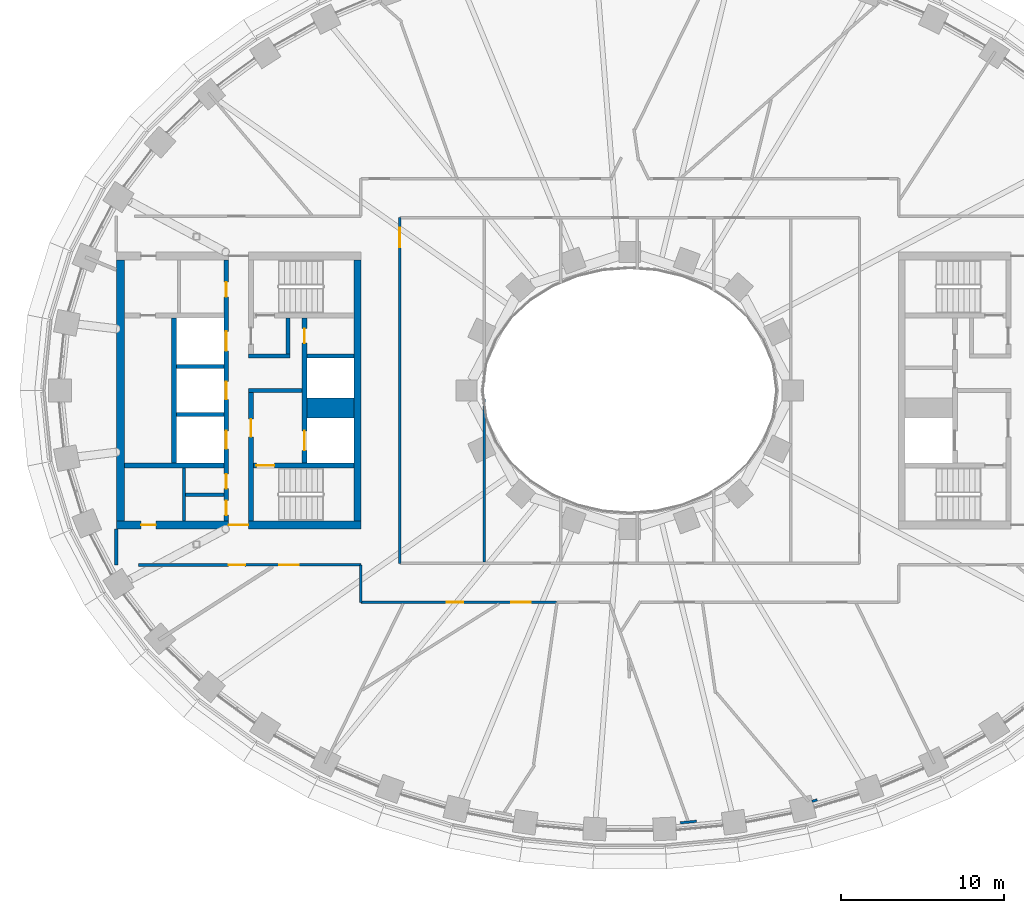
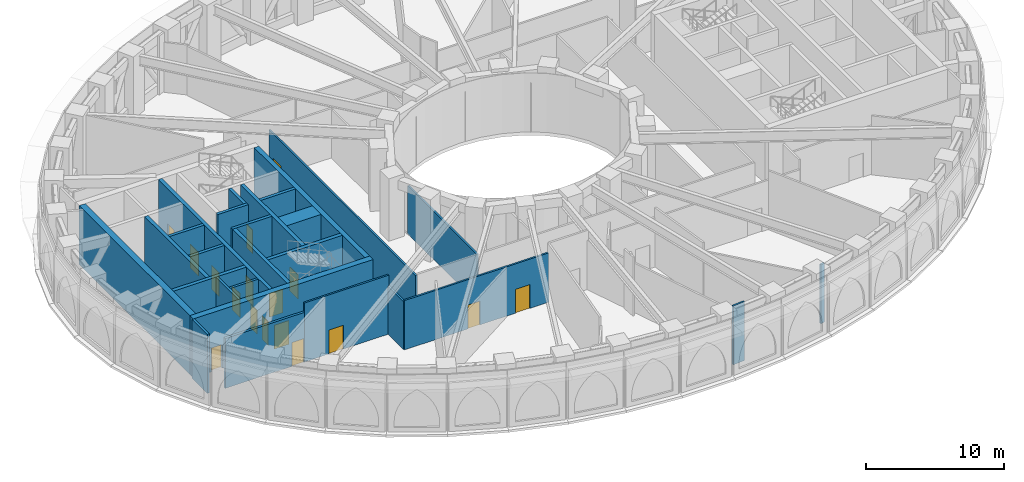
# One storey, part 6 of 25: 27 walls, 17 doors, 17 openings.
"""IFC4 building model written with IfcOpenShell, lengths in metres."""

from ifc_helpers import new_model, si_unit, direction, frame, frame_2d, origin, place, context, subcontext, project, spatial, rectangle, extrude, material, layer, layer_set, type_object, element, fill, save


model = new_model("IFC4")

# Units and contexts
model_context = context("Model", 3, precision=1e-05, world=origin(), true_north=direction((0.0, 1.0)))
body_context = subcontext(model_context, "Body", "Model", "MODEL_VIEW")
ifc_project = project(units=[si_unit("LENGTHUNIT", "METRE"), si_unit("AREAUNIT", "SQUARE_METRE"), si_unit("VOLUMEUNIT", "CUBIC_METRE"), si_unit("PLANEANGLEUNIT", "RADIAN"), si_unit("MASSUNIT", "GRAM", prefix="KILO")], contexts=[model_context])

# Site, building, storey
site_placement = place(None, origin())
site = spatial("IfcSite", under=ifc_project, at=site_placement, CompositionType="ELEMENT")
building_placement = place(site_placement, origin())
building = spatial("IfcBuilding", under=site, at=building_placement, Name="Noorbagh Ring Tower", CompositionType="ELEMENT")
storey_placement = place(building_placement, frame((0.0, 0.0, 82.5)))
storey = spatial("IfcBuildingStorey", under=building, at=storey_placement, Name="L18", CompositionType="ELEMENT", Elevation=82.5)

# Wall, opening, door
ifc_material_1 = material(Name="Gypsum board on steel studs", Category="steel")
ifc_layer_1 = layer(ifc_material_1, 0.14990234375)
ifc_layer_set_1 = layer_set([ifc_layer_1], Name="Gypsum board on steel studs")
wall_type_1 = type_object("IfcWallType", Name="COMPARTMENT PARTITION 150 EI 60", PredefinedType="PARTITIONING", material=ifc_layer_set_1)
wall_1_placement = place(storey_placement, frame((-23.550048828125, -10.699951171875, 0.0), z_axis=(0.0, 0.0, 1.0), x_axis=(1.0, 0.0, 0.0)))
wall_1 = element("IfcWall", 1, at=wall_1_placement, inside=storey, type_object=wall_type_1, Name="L18/wall/P08", PredefinedType="PARTITIONING", context=body_context, shape_type="SweptSolid", body=[
    extrude(rectangle(XDim=7.050048828125, YDim=0.14990234375, at=frame_2d((3.52490234375, 0.0))), origin(), (0.0, 0.0, 1.0), 5.199951171875),
])
opening_1_placement = place(wall_1_placement, frame((2.050048828125, 0.0, 0.0)))
opening_1 = element("IfcOpeningElement", 2, at=opening_1_placement, cuts=wall_1, Name="Opening D7", PredefinedType="OPENING", context=body_context, shape_type="SweptSolid", body=[
    extrude(rectangle(XDim=1.199951171875, YDim=2.10009765625, at=frame_2d((0.60009765625, 1.050048828125))), frame((0.0, 0.0849609375, 0.0), z_axis=(0.0, -1.0, 0.0), x_axis=(1.0, 0.0, 0.0)), (0.0, 0.0, 1.0), 0.169921875),
])
ifc_material_2 = material(Name="Timber, painted", Category="wood")
door_type_1 = type_object("IfcDoorType", Name="DOOR 1200 X 2100 FD60", OperationType="SINGLE_SWING_LEFT", PredefinedType="DOOR", material=ifc_material_2)
door_1_placement = place(opening_1_placement, origin())
door_1 = element("IfcDoor", 3, at=door_1_placement, inside=storey, type_object=door_type_1, Name="L18-D03", OperationType="SINGLE_SWING_LEFT", OverallHeight=2.10009765625, OverallWidth=1.199951171875, PredefinedType="DOOR", context=body_context, shape_type="SweptSolid", body=[
    extrude(rectangle(XDim=1.199951171875, YDim=2.10009765625, at=frame_2d((0.60009765625, 1.050048828125))), frame((0.0, 0.02490234375, 0.0), z_axis=(0.0, -1.0, 0.0), x_axis=(1.0, 0.0, 0.0)), (0.0, 0.0, 1.0), 0.050048828125),
])
fill(opening_1, door_1)

# Wall
wall_2_placement = place(storey_placement, frame((-16.5, -13.0, 0.0), z_axis=(0.0, 0.0, 1.0), x_axis=(0.0, 1.0, 0.0)))
element("IfcWall", 4, at=wall_2_placement, inside=storey, type_object=wall_type_1, Name="L18/wall/P11", PredefinedType="PARTITIONING", context=body_context, shape_type="SweptSolid", body=[
    extrude(rectangle(XDim=2.300048828125, YDim=0.14990234375, at=frame_2d((1.14990234375, 0.0))), origin(), (0.0, 0.0, 1.0), 4.25),
])

# Wall, openings, doors
wall_3_placement = place(storey_placement, frame((-16.5, -13.0, 0.0), z_axis=(0.0, 0.0, 1.0), x_axis=(1.0, 0.0, 0.0)))
wall_3 = element("IfcWall", 5, at=wall_3_placement, inside=storey, type_object=wall_type_1, Name="L18/wall/P12", PredefinedType="PARTITIONING", context=body_context, shape_type="SweptSolid", body=[
    extrude(rectangle(XDim=12.02099609375, YDim=0.14990234375, at=frame_2d((6.010498046875, 0.0))), origin(), (0.0, 0.0, 1.0), 4.35009765625),
])
opening_2_placement = place(wall_3_placement, frame((9.239013671875, 0.0, 0.0)))
opening_2 = element("IfcOpeningElement", 6, at=opening_2_placement, cuts=wall_3, Name="Opening D7", PredefinedType="OPENING", context=body_context, shape_type="SweptSolid", body=[
    extrude(rectangle(XDim=1.199951171875, YDim=2.10009765625, at=frame_2d((0.60009765625, 1.050048828125))), frame((0.0, 0.0849609375, 0.0), z_axis=(0.0, -1.0, 0.0), x_axis=(1.0, 0.0, 0.0)), (0.0, 0.0, 1.0), 0.169921875),
])
opening_3_placement = place(wall_3_placement, frame((5.279052734375, 0.0, 0.0)))
opening_3 = element("IfcOpeningElement", 7, at=opening_3_placement, cuts=wall_3, Name="Opening D6", PredefinedType="OPENING", context=body_context, shape_type="SweptSolid", body=[
    extrude(rectangle(XDim=1.0, YDim=2.10009765625, at=frame_2d((0.5, 1.050048828125))), frame((0.0, 0.0849609375, 0.0), z_axis=(0.0, -1.0, 0.0), x_axis=(1.0, 0.0, 0.0)), (0.0, 0.0, 1.0), 0.169921875),
])
ifc_material_3 = material(Name="Timber, painted", Category="wood")
door_type_2 = type_object("IfcDoorType", Name="DOOR 1000 X 2100 FD60", OperationType="SINGLE_SWING_LEFT", PredefinedType="DOOR", material=ifc_material_3)
door_2_placement = place(opening_3_placement, origin())
door_2 = element("IfcDoor", 8, at=door_2_placement, inside=storey, type_object=door_type_2, Name="L18-D06", OperationType="SINGLE_SWING_RIGHT", OverallHeight=2.10009765625, OverallWidth=1.0, PredefinedType="DOOR", context=body_context, shape_type="SweptSolid", body=[
    extrude(rectangle(XDim=1.0, YDim=2.10009765625, at=frame_2d((0.5, 1.050048828125))), frame((0.0, 0.02490234375, 0.0), z_axis=(0.0, -1.0, 0.0), x_axis=(1.0, 0.0, 0.0)), (0.0, 0.0, 1.0), 0.050048828125),
])
fill(opening_3, door_2)
door_3_placement = place(opening_2_placement, origin())
door_3 = element("IfcDoor", 9, at=door_3_placement, inside=storey, type_object=door_type_1, Name="L18-D05", OperationType="SINGLE_SWING_LEFT", OverallHeight=2.10009765625, OverallWidth=1.199951171875, PredefinedType="DOOR", context=body_context, shape_type="SweptSolid", body=[
    extrude(rectangle(XDim=1.199951171875, YDim=2.10009765625, at=frame_2d((0.60009765625, 1.050048828125))), frame((0.0, 0.02490234375, 0.0), z_axis=(0.0, -1.0, 0.0), x_axis=(1.0, 0.0, 0.0)), (0.0, 0.0, 1.0), 0.050048828125),
])
fill(opening_2, door_3)

# Wall, opening, door
wall_4_placement = place(storey_placement, frame((-14.10009765625, -10.60009765625, 0.0), z_axis=(0.0, 0.0, 1.0), x_axis=(0.0, 1.0, 0.0)))
wall_4 = element("IfcWall", 10, at=wall_4_placement, inside=storey, type_object=wall_type_1, Name="L18/wall/P16", PredefinedType="PARTITIONING", context=body_context, shape_type="SweptSolid", body=[
    extrude(rectangle(XDim=21.2001953125, YDim=0.14990234375, at=frame_2d((10.60009765625, 0.0))), origin(), (0.0, 0.0, 1.0), 4.25),
])
opening_4_placement = place(wall_4_placement, frame((19.39990234375, 0.0, 0.0)))
opening_4 = element("IfcOpeningElement", 11, at=opening_4_placement, cuts=wall_4, Name="Opening D7", PredefinedType="OPENING", context=body_context, shape_type="SweptSolid", body=[
    extrude(rectangle(XDim=1.199951171875, YDim=2.10009765625, at=frame_2d((0.60009765625, 1.050048828125))), frame((0.0, 0.0849609375, 0.0), z_axis=(0.0, -1.0, 0.0), x_axis=(1.0, 0.0, 0.0)), (0.0, 0.0, 1.0), 0.169921875),
])
door_4_placement = place(opening_4_placement, origin())
door_4 = element("IfcDoor", 12, at=door_4_placement, inside=storey, type_object=door_type_1, Name="L18-D18", OperationType="SINGLE_SWING_RIGHT", OverallHeight=2.10009765625, OverallWidth=1.199951171875, PredefinedType="DOOR", context=body_context, shape_type="SweptSolid", body=[
    extrude(rectangle(XDim=1.199951171875, YDim=2.10009765625, at=frame_2d((0.60009765625, 1.050048828125))), frame((0.0, 0.02490234375, 0.0), z_axis=(0.0, -1.0, 0.0), x_axis=(1.0, 0.0, 0.0)), (0.0, 0.0, 1.0), 0.050048828125),
])
fill(opening_4, door_4)

# Walls
wall_5_placement = place(storey_placement, frame((-8.929931640625, -10.52490234375, 0.0), z_axis=(0.0, 0.0, 1.0), x_axis=(0.0, 1.0, 0.0)))
element("IfcWall", 13, at=wall_5_placement, inside=storey, type_object=wall_type_1, Name="L18/wall/P21", PredefinedType="PARTITIONING", context=body_context, shape_type="SweptSolid", body=[
    extrude(rectangle(XDim=10.0068359375, YDim=0.14990234375, at=frame_2d((5.00341796875, 0.0))), origin(), (0.0, 0.0, 1.0), 4.25),
])
wall_6_placement = place(storey_placement, frame((3.103759765625, -26.525146484375, 0.0), z_axis=(0.0, 0.0, 1.0), x_axis=(0.995455881017, 0.095223888545, 0.0)))
element("IfcWall", 14, at=wall_6_placement, inside=storey, type_object=wall_type_1, Name="L18/wall/P63", PredefinedType="PARTITIONING", context=body_context, shape_type="SweptSolid", body=[
    extrude(rectangle(XDim=1.0, YDim=0.14990234375, at=frame_2d((0.5, 0.0))), origin(), (0.0, 0.0, 1.0), 5.199951171875),
])
wall_7_placement = place(storey_placement, frame((11.1845703125, -25.209228515625, 0.0), z_axis=(0.0, 0.0, 1.0), x_axis=(0.957581907725, 0.288161222232, 0.0)))
element("IfcWall", 15, at=wall_7_placement, inside=storey, type_object=wall_type_1, Name="L18/wall/P66", PredefinedType="PARTITIONING", context=body_context, shape_type="SweptSolid", body=[
    extrude(rectangle(XDim=0.330322265625, YDim=0.14990234375, at=frame_2d((0.1650390625, 0.0))), origin(), (0.0, 0.0, 1.0), 5.199951171875),
])
ifc_material_4 = material(Name="Gypsum board on steel studs", Category="steel")
ifc_layer_2 = layer(ifc_material_4, 0.199951171875)
ifc_layer_set_2 = layer_set([ifc_layer_2], Name="Gypsum board on steel studs")
wall_type_2 = type_object("IfcWallType", Name="CORE-PARTITION-200", PredefinedType="PARTITIONING", material=ifc_layer_set_2)
wall_8_placement = place(storey_placement, frame((-27.35009765625, -8.0, 0.0), z_axis=(0.0, 0.0, 1.0), x_axis=(0.0, 1.0, 0.0)))
element("IfcWall", 16, at=wall_8_placement, inside=storey, type_object=wall_type_2, Name="Core partition W", PredefinedType="PARTITIONING", context=body_context, shape_type="SweptSolid", body=[
    extrude(rectangle(XDim=3.25, YDim=0.199951171875, at=frame_2d((1.625, 0.0))), origin(), (0.0, 0.0, 1.0), 5.199951171875),
])
wall_9_placement = place(storey_placement, frame((-24.89990234375, -6.39990234375, 0.0), z_axis=(0.0, 0.0, 1.0), x_axis=(-1.0, 0.0, 0.0)))
element("IfcWall", 17, at=wall_9_placement, inside=storey, type_object=wall_type_2, Name="Core partition W", PredefinedType="PARTITIONING", context=body_context, shape_type="SweptSolid", body=[
    extrude(rectangle(XDim=2.35009765625, YDim=0.199951171875, at=frame_2d((1.175048828125, 0.0))), origin(), (0.0, 0.0, 1.0), 5.199951171875),
])
ifc_material_5 = material(Name="Concrete C70/85", Category="concrete")
ifc_layer_3 = layer(ifc_material_5, 1.25)
ifc_layer_set_3 = layer_set([ifc_layer_3], Name="Concrete C70/85")
wall_type_3 = type_object("IfcWallType", Name="CORE-WALL-1250-C70-85-EI120", PredefinedType="SHEAR", material=ifc_layer_set_3)
wall_10_placement = place(storey_placement, frame((-16.89990234375, -1.074951171875, 0.0), z_axis=(0.0, 0.0, 1.0), x_axis=(-1.0, 0.0, 0.0)))
element("IfcWall", 18, at=wall_10_placement, inside=storey, type_object=wall_type_3, Name="Core wall W", PredefinedType="SHEAR", context=body_context, shape_type="SweptSolid", body=[
    extrude(rectangle(XDim=2.900146484375, YDim=1.25, at=frame_2d((1.4501953125, 0.0))), origin(), (0.0, 0.0, 1.0), 5.199951171875),
])
ifc_material_6 = material(Name="Concrete C70/85", Category="concrete")
ifc_layer_4 = layer(ifc_material_6, 0.25)
ifc_layer_set_4 = layer_set([ifc_layer_4], Name="Concrete C70/85")
wall_type_4 = type_object("IfcWallType", Name="CORE-WALL-250-C70-85-EI120", PredefinedType="SHEAR", material=ifc_layer_set_4)
for number, where, z_axis, x_axis, name in (
    (19, (-16.89990234375, 2.125, 0.0), (0.0, 0.0, 1.0), (-1.0, 0.0, 0.0), "Core wall W"),
    (20, (-24.89990234375, -1.47509765625, 0.0), (0.0, 0.0, 1.0), (-1.0, 0.0, 0.0), "Core wall W"),
    (21, (-24.89990234375, 1.47509765625, 0.0), (0.0, 0.0, 1.0), (-1.0, 0.0, 0.0), "Core wall W"),
):
    element("IfcWall", number, at=place(storey_placement, frame(where, z_axis=z_axis, x_axis=x_axis)), inside=storey, type_object=wall_type_4, Name=name, PredefinedType="SHEAR", context=body_context, shape_type="SweptSolid", body=[
        extrude(rectangle(XDim=2.900146484375, YDim=0.25, at=frame_2d((1.4501953125, 0.0))), origin(), (0.0, 0.0, 1.0), 5.199951171875),
    ])
ifc_material_7 = material(Name="Concrete C70/85", Category="concrete")
ifc_layer_5 = layer(ifc_material_7, 0.25)
ifc_layer_set_5 = layer_set([ifc_layer_5], Name="Concrete C70/85")
wall_type_5 = type_object("IfcWallType", Name="CORE-WALL-250-C70-85-EI240", PredefinedType="SHEAR", material=ifc_layer_set_5)
wall_11_placement = place(storey_placement, frame((-20.10009765625, 0.0, 0.0), z_axis=(0.0, 0.0, 1.0), x_axis=(-1.0, 0.0, 0.0)))
element("IfcWall", 22, at=wall_11_placement, inside=storey, type_object=wall_type_5, Name="Core wall W", PredefinedType="SHEAR", context=body_context, shape_type="SweptSolid", body=[
    extrude(rectangle(XDim=3.27978515625, YDim=0.25, at=frame_2d((1.639892578125, 0.0))), origin(), (0.0, 0.0, 1.0), 5.199951171875),
])
wall_12_placement = place(storey_placement, frame((-20.85009765625, 2.125, 0.0), z_axis=(0.0, 0.0, 1.0), x_axis=(-1.0, 0.0, 0.0)))
element("IfcWall", 23, at=wall_12_placement, inside=storey, type_object=wall_type_5, Name="Core wall W", PredefinedType="SHEAR", context=body_context, shape_type="SweptSolid", body=[
    extrude(rectangle(XDim=2.52978515625, YDim=0.25, at=frame_2d((1.264892578125, 0.0))), origin(), (0.0, 0.0, 1.0), 5.199951171875),
])
wall_13_placement = place(storey_placement, frame((-20.97509765625, 2.25, 0.0), z_axis=(0.0, 0.0, 1.0), x_axis=(0.0, 1.0, 0.0)))
element("IfcWall", 24, at=wall_13_placement, inside=storey, type_object=wall_type_5, Name="Core wall W", PredefinedType="SHEAR", context=body_context, shape_type="SweptSolid", body=[
    extrude(rectangle(XDim=2.199951171875, YDim=0.25, at=frame_2d((1.10009765625, 0.0))), origin(), (0.0, 0.0, 1.0), 5.199951171875),
])
ifc_material_8 = material(Name="Concrete C70/85", Category="concrete")
ifc_layer_6 = layer(ifc_material_8, 0.300048828125)
ifc_layer_set_6 = layer_set([ifc_layer_6], Name="Concrete C70/85")
wall_type_6 = type_object("IfcWallType", Name="CORE-WALL-300-C70-85-EI120", PredefinedType="SHEAR", material=ifc_layer_set_6)
wall_14_placement = place(storey_placement, frame((-27.949951171875, -4.449951171875, 0.0), z_axis=(0.0, 0.0, 1.0), x_axis=(0.0, 1.0, 0.0)))
element("IfcWall", 25, at=wall_14_placement, inside=storey, type_object=wall_type_6, Name="Core wall W", PredefinedType="SHEAR", context=body_context, shape_type="SweptSolid", body=[
    extrude(rectangle(XDim=8.89990234375, YDim=0.300048828125, at=frame_2d((4.449951171875, 0.0))), origin(), (0.0, 0.0, 1.0), 5.199951171875),
])

# Wall, openings, doors
wall_15_placement = place(storey_placement, frame((-19.949951171875, -4.449951171875, 0.0), z_axis=(0.0, 0.0, 1.0), x_axis=(0.0, 1.0, 0.0)))
wall_15 = element("IfcWall", 26, at=wall_15_placement, inside=storey, type_object=wall_type_6, Name="Core wall W", PredefinedType="SHEAR", context=body_context, shape_type="SweptSolid", body=[
    extrude(rectangle(XDim=8.89990234375, YDim=0.300048828125, at=frame_2d((4.449951171875, 0.0))), origin(), (0.0, 0.0, 1.0), 5.199951171875),
])
opening_5_placement = place(wall_15_placement, frame((0.77490234375, 0.0, 0.0)))
opening_5 = element("IfcOpeningElement", 27, at=opening_5_placement, cuts=wall_15, Name="Opening L18-CW01", PredefinedType="OPENING", context=body_context, shape_type="SweptSolid", body=[
    extrude(rectangle(XDim=1.199951171875, YDim=2.10009765625, at=frame_2d((0.60009765625, 1.050048828125))), frame((0.0, 0.16015625, 0.0), z_axis=(0.0, -1.0, 0.0), x_axis=(1.0, 0.0, 0.0)), (0.0, 0.0, 1.0), 0.320068359375),
])
opening_6_placement = place(wall_15_placement, frame((7.35009765625, 0.0, 0.0)))
opening_6 = element("IfcOpeningElement", 28, at=opening_6_placement, cuts=wall_15, Name="Opening L18-CW11", PredefinedType="OPENING", context=body_context, shape_type="SweptSolid", body=[
    extrude(rectangle(XDim=0.89990234375, YDim=2.10009765625, at=frame_2d((0.449951171875, 1.050048828125))), frame((0.0, 0.16015625, 0.0), z_axis=(0.0, -1.0, 0.0), x_axis=(1.0, 0.0, 0.0)), (0.0, 0.0, 1.0), 0.320068359375),
])
ifc_material_9 = material(Name="Steel door leaf", Category="steel")
door_type_3 = type_object("IfcDoorType", Name="CORE-DOOR-DROOM", OperationType="SINGLE_SWING_LEFT", PredefinedType="DOOR", material=ifc_material_9)
door_5_placement = place(opening_6_placement, origin())
door_5 = element("IfcDoor", 29, at=door_5_placement, inside=storey, type_object=door_type_3, Name="Core room door L18-CW11", OperationType="SINGLE_SWING_LEFT", OverallHeight=2.10009765625, OverallWidth=0.89990234375, PredefinedType="DOOR", context=body_context, shape_type="SweptSolid", body=[
    extrude(rectangle(XDim=0.89990234375, YDim=2.10009765625, at=frame_2d((0.449951171875, 1.050048828125))), frame((0.0, 0.02490234375, 0.0), z_axis=(0.0, -1.0, 0.0), x_axis=(1.0, 0.0, 0.0)), (0.0, 0.0, 1.0), 0.050048828125),
])
fill(opening_6, door_5)
ifc_material_10 = material(Name="Steel door leaf", Category="steel")
door_type_4 = type_object("IfcDoorType", Name="CORE-DOOR-LDW", OperationType="DOUBLE_DOOR_SLIDING", PredefinedType="DOOR", material=ifc_material_10)
door_6_placement = place(opening_5_placement, origin())
door_6 = element("IfcDoor", 30, at=door_6_placement, inside=storey, type_object=door_type_4, Name="Landing door FF1 L18-CW01", OperationType="DOUBLE_DOOR_SLIDING", OverallHeight=2.10009765625, OverallWidth=1.199951171875, PredefinedType="DOOR", context=body_context, shape_type="SweptSolid", body=[
    extrude(rectangle(XDim=1.199951171875, YDim=2.10009765625, at=frame_2d((0.60009765625, 1.050048828125))), frame((0.0, 0.02490234375, 0.0), z_axis=(0.0, -1.0, 0.0), x_axis=(1.0, 0.0, 0.0)), (0.0, 0.0, 1.0), 0.050048828125),
])
fill(opening_5, door_6)

wall_16_placement = place(storey_placement, frame((-24.75, -8.0, 0.0), z_axis=(0.0, 0.0, 1.0), x_axis=(0.0, 1.0, 0.0)))
wall_16 = element("IfcWall", 31, at=wall_16_placement, inside=storey, type_object=wall_type_6, Name="Core wall W", PredefinedType="SHEAR", context=body_context, shape_type="SweptSolid", body=[
    extrude(rectangle(XDim=16.0, YDim=0.300048828125, at=frame_2d((8.0, 0.0))), origin(), (0.0, 0.0, 1.0), 5.199951171875),
])
opening_7_placement = place(wall_16_placement, frame((4.425048828125, 0.0, 0.0)))
opening_7 = element("IfcOpeningElement", 32, at=opening_7_placement, cuts=wall_16, Name="Opening L18-CW02", PredefinedType="OPENING", context=body_context, shape_type="SweptSolid", body=[
    extrude(rectangle(XDim=1.10009765625, YDim=2.10009765625, at=frame_2d((0.550048828125, 1.050048828125))), frame((0.0, 0.16015625, 0.0), z_axis=(0.0, -1.0, 0.0), x_axis=(1.0, 0.0, 0.0)), (0.0, 0.0, 1.0), 0.320068359375),
])
opening_8_placement = place(wall_16_placement, frame((7.449951171875, 0.0, 0.0)))
opening_8 = element("IfcOpeningElement", 33, at=opening_8_placement, cuts=wall_16, Name="Opening L18-CW03", PredefinedType="OPENING", context=body_context, shape_type="SweptSolid", body=[
    extrude(rectangle(XDim=1.10009765625, YDim=2.10009765625, at=frame_2d((0.550048828125, 1.050048828125))), frame((0.0, 0.16015625, 0.0), z_axis=(0.0, -1.0, 0.0), x_axis=(1.0, 0.0, 0.0)), (0.0, 0.0, 1.0), 0.320068359375),
])
opening_9_placement = place(wall_16_placement, frame((10.425048828125, 0.0, 0.0)))
opening_9 = element("IfcOpeningElement", 34, at=opening_9_placement, cuts=wall_16, Name="Opening L18-CW04", PredefinedType="OPENING", context=body_context, shape_type="SweptSolid", body=[
    extrude(rectangle(XDim=1.199951171875, YDim=2.10009765625, at=frame_2d((0.60009765625, 1.050048828125))), frame((0.0, 0.16015625, 0.0), z_axis=(0.0, -1.0, 0.0), x_axis=(1.0, 0.0, 0.0)), (0.0, 0.0, 1.0), 0.320068359375),
])
opening_10_placement = place(wall_16_placement, frame((13.75, 0.0, 0.0)))
opening_10 = element("IfcOpeningElement", 35, at=opening_10_placement, cuts=wall_16, Name="Opening L18-CW12", PredefinedType="OPENING", context=body_context, shape_type="SweptSolid", body=[
    extrude(rectangle(XDim=0.89990234375, YDim=2.10009765625, at=frame_2d((0.449951171875, 1.050048828125))), frame((0.0, 0.16015625, 0.0), z_axis=(0.0, -1.0, 0.0), x_axis=(1.0, 0.0, 0.0)), (0.0, 0.0, 1.0), 0.320068359375),
])
opening_11_placement = place(wall_16_placement, frame((1.97509765625, 0.0, 0.0)))
opening_11 = element("IfcOpeningElement", 36, at=opening_11_placement, cuts=wall_16, Name="Opening L18-CW14", PredefinedType="OPENING", context=body_context, shape_type="SweptSolid", body=[
    extrude(rectangle(XDim=0.89990234375, YDim=2.10009765625, at=frame_2d((0.449951171875, 1.050048828125))), frame((0.0, 0.16015625, 0.0), z_axis=(0.0, -1.0, 0.0), x_axis=(1.0, 0.0, 0.0)), (0.0, 0.0, 1.0), 0.320068359375),
])
opening_12_placement = place(wall_16_placement, frame((0.35009765625, 0.0, 0.0)))
opening_12 = element("IfcOpeningElement", 37, at=opening_12_placement, cuts=wall_16, Name="Opening L18-CW15", PredefinedType="OPENING", context=body_context, shape_type="SweptSolid", body=[
    extrude(rectangle(XDim=0.89990234375, YDim=2.10009765625, at=frame_2d((0.449951171875, 1.050048828125))), frame((0.0, 0.16015625, 0.0), z_axis=(0.0, -1.0, 0.0), x_axis=(1.0, 0.0, 0.0)), (0.0, 0.0, 1.0), 0.320068359375),
])
door_7_placement = place(opening_10_placement, origin())
door_7 = element("IfcDoor", 38, at=door_7_placement, inside=storey, type_object=door_type_3, Name="Core room door L18-CW12", OperationType="SINGLE_SWING_RIGHT", OverallHeight=2.10009765625, OverallWidth=0.89990234375, PredefinedType="DOOR", context=body_context, shape_type="SweptSolid", body=[
    extrude(rectangle(XDim=0.89990234375, YDim=2.10009765625, at=frame_2d((0.449951171875, 1.050048828125))), frame((0.0, 0.02490234375, 0.0), z_axis=(0.0, -1.0, 0.0), x_axis=(1.0, 0.0, 0.0)), (0.0, 0.0, 1.0), 0.050048828125),
])
fill(opening_10, door_7)
door_8_placement = place(opening_11_placement, origin())
door_8 = element("IfcDoor", 39, at=door_8_placement, inside=storey, type_object=door_type_3, Name="Core room door L18-CW14", OperationType="SINGLE_SWING_RIGHT", OverallHeight=2.10009765625, OverallWidth=0.89990234375, PredefinedType="DOOR", context=body_context, shape_type="SweptSolid", body=[
    extrude(rectangle(XDim=0.89990234375, YDim=2.10009765625, at=frame_2d((0.449951171875, 1.050048828125))), frame((0.0, 0.02490234375, 0.0), z_axis=(0.0, -1.0, 0.0), x_axis=(1.0, 0.0, 0.0)), (0.0, 0.0, 1.0), 0.050048828125),
])
fill(opening_11, door_8)
door_9_placement = place(opening_12_placement, origin())
door_9 = element("IfcDoor", 40, at=door_9_placement, inside=storey, type_object=door_type_3, Name="Core room door L18-CW15", OperationType="SINGLE_SWING_LEFT", OverallHeight=2.10009765625, OverallWidth=0.89990234375, PredefinedType="DOOR", context=body_context, shape_type="SweptSolid", body=[
    extrude(rectangle(XDim=0.89990234375, YDim=2.10009765625, at=frame_2d((0.449951171875, 1.050048828125))), frame((0.0, 0.02490234375, 0.0), z_axis=(0.0, -1.0, 0.0), x_axis=(1.0, 0.0, 0.0)), (0.0, 0.0, 1.0), 0.050048828125),
])
fill(opening_12, door_9)
ifc_material_11 = material(Name="Steel door leaf", Category="steel")
door_type_5 = type_object("IfcDoorType", Name="CORE-DOOR-LD", OperationType="DOUBLE_DOOR_SLIDING", PredefinedType="DOOR", material=ifc_material_11)
door_10_placement = place(opening_7_placement, origin())
door_10 = element("IfcDoor", 41, at=door_10_placement, inside=storey, type_object=door_type_5, Name="Landing door LR1 L18-CW02", OperationType="DOUBLE_DOOR_SLIDING", OverallHeight=2.10009765625, OverallWidth=1.10009765625, PredefinedType="DOOR", context=body_context, shape_type="SweptSolid", body=[
    extrude(rectangle(XDim=1.10009765625, YDim=2.10009765625, at=frame_2d((0.550048828125, 1.050048828125))), frame((0.0, 0.02490234375, 0.0), z_axis=(0.0, -1.0, 0.0), x_axis=(1.0, 0.0, 0.0)), (0.0, 0.0, 1.0), 0.050048828125),
])
fill(opening_7, door_10)
door_11_placement = place(opening_8_placement, origin())
door_11 = element("IfcDoor", 42, at=door_11_placement, inside=storey, type_object=door_type_5, Name="Landing door LR2 L18-CW03", OperationType="DOUBLE_DOOR_SLIDING", OverallHeight=2.10009765625, OverallWidth=1.10009765625, PredefinedType="DOOR", context=body_context, shape_type="SweptSolid", body=[
    extrude(rectangle(XDim=1.10009765625, YDim=2.10009765625, at=frame_2d((0.550048828125, 1.050048828125))), frame((0.0, 0.02490234375, 0.0), z_axis=(0.0, -1.0, 0.0), x_axis=(1.0, 0.0, 0.0)), (0.0, 0.0, 1.0), 0.050048828125),
])
fill(opening_8, door_11)
door_12_placement = place(opening_9_placement, origin())
door_12 = element("IfcDoor", 43, at=door_12_placement, inside=storey, type_object=door_type_4, Name="Landing door SV1 L18-CW04", OperationType="DOUBLE_DOOR_SLIDING", OverallHeight=2.10009765625, OverallWidth=1.199951171875, PredefinedType="DOOR", context=body_context, shape_type="SweptSolid", body=[
    extrude(rectangle(XDim=1.199951171875, YDim=2.10009765625, at=frame_2d((0.60009765625, 1.050048828125))), frame((0.0, 0.02490234375, 0.0), z_axis=(0.0, -1.0, 0.0), x_axis=(1.0, 0.0, 0.0)), (0.0, 0.0, 1.0), 0.050048828125),
])
fill(opening_9, door_12)

# Wall
ifc_material_12 = material(Name="Concrete C70/85", Category="concrete")
ifc_layer_7 = layer(ifc_material_12, 0.300048828125)
ifc_layer_set_7 = layer_set([ifc_layer_7], Name="Concrete C70/85")
wall_type_7 = type_object("IfcWallType", Name="CORE-WALL-300-C70-85-EI240", PredefinedType="SHEAR", material=ifc_layer_set_7)
wall_17_placement = place(storey_placement, frame((-24.89990234375, -4.60009765625, 0.0), z_axis=(0.0, 0.0, 1.0), x_axis=(-1.0, 0.0, 0.0)))
element("IfcWall", 44, at=wall_17_placement, inside=storey, type_object=wall_type_7, Name="Core wall W", PredefinedType="SHEAR", context=body_context, shape_type="SweptSolid", body=[
    extrude(rectangle(XDim=6.10009765625, YDim=0.300048828125, at=frame_2d((3.050048828125, 0.0))), origin(), (0.0, 0.0, 1.0), 5.199951171875),
])

# Wall, opening, door
wall_18_placement = place(storey_placement, frame((-23.22998046875, -8.0, 0.0), z_axis=(0.0, 0.0, 1.0), x_axis=(0.0, 1.0, 0.0)))
wall_18 = element("IfcWall", 45, at=wall_18_placement, inside=storey, type_object=wall_type_7, Name="Core wall W", PredefinedType="SHEAR", context=body_context, shape_type="SweptSolid", body=[
    extrude(rectangle(XDim=7.875, YDim=0.300048828125, at=frame_2d((3.9375, 0.0))), origin(), (0.0, 0.0, 1.0), 5.199951171875),
])
opening_13_placement = place(wall_18_placement, frame((5.14990234375, 0.0, 0.0)))
opening_13 = element("IfcOpeningElement", 46, at=opening_13_placement, cuts=wall_18, Name="Opening L18-CW07", PredefinedType="OPENING", context=body_context, shape_type="SweptSolid", body=[
    extrude(rectangle(XDim=1.10009765625, YDim=2.10009765625, at=frame_2d((0.550048828125, 1.050048828125))), frame((0.0, 0.16015625, 0.0), z_axis=(0.0, -1.0, 0.0), x_axis=(1.0, 0.0, 0.0)), (0.0, 0.0, 1.0), 0.320068359375),
])
ifc_material_13 = material(Name="Steel door leaf", Category="steel")
door_type_6 = type_object("IfcDoorType", Name="CORE-DOOR-DFF", OperationType="SINGLE_SWING_LEFT", PredefinedType="DOOR", material=ifc_material_13)
door_13_placement = place(opening_13_placement, origin())
door_13 = element("IfcDoor", 47, at=door_13_placement, inside=storey, type_object=door_type_6, Name="Firefighting lobby door L18-CW07", OperationType="SINGLE_SWING_LEFT", OverallHeight=2.10009765625, OverallWidth=1.10009765625, PredefinedType="DOOR", context=body_context, shape_type="SweptSolid", body=[
    extrude(rectangle(XDim=1.10009765625, YDim=2.10009765625, at=frame_2d((0.550048828125, 1.050048828125))), frame((0.0, 0.02490234375, 0.0), z_axis=(0.0, -1.0, 0.0), x_axis=(1.0, 0.0, 0.0)), (0.0, 0.0, 1.0), 0.050048828125),
])
fill(opening_13, door_13)

wall_19_placement = place(storey_placement, frame((-16.89990234375, -4.60009765625, 0.0), z_axis=(0.0, 0.0, 1.0), x_axis=(-1.0, 0.0, 0.0)))
wall_19 = element("IfcWall", 48, at=wall_19_placement, inside=storey, type_object=wall_type_7, Name="Core wall W", PredefinedType="SHEAR", context=body_context, shape_type="SweptSolid", body=[
    extrude(rectangle(XDim=6.18017578125, YDim=0.300048828125, at=frame_2d((3.090087890625, 0.0))), origin(), (0.0, 0.0, 1.0), 5.199951171875),
])
opening_14_placement = place(wall_19_placement, frame((4.89990234375, 0.0, 0.0)))
opening_14 = element("IfcOpeningElement", 49, at=opening_14_placement, cuts=wall_19, Name="Opening L18-CW06", PredefinedType="OPENING", context=body_context, shape_type="SweptSolid", body=[
    extrude(rectangle(XDim=1.10009765625, YDim=2.10009765625, at=frame_2d((0.550048828125, 1.050048828125))), frame((0.0, 0.16015625, 0.0), z_axis=(0.0, -1.0, 0.0), x_axis=(1.0, 0.0, 0.0)), (0.0, 0.0, 1.0), 0.320068359375),
])
ifc_material_14 = material(Name="Steel door leaf", Category="steel")
door_type_7 = type_object("IfcDoorType", Name="CORE-DOOR-DSTAIR", OperationType="SINGLE_SWING_LEFT", PredefinedType="DOOR", material=ifc_material_14)
door_14_placement = place(opening_14_placement, origin())
door_14 = element("IfcDoor", 50, at=door_14_placement, inside=storey, type_object=door_type_7, Name="Stair door ST2 L18-CW06", OperationType="SINGLE_SWING_LEFT", OverallHeight=2.10009765625, OverallWidth=1.10009765625, PredefinedType="DOOR", context=body_context, shape_type="SweptSolid", body=[
    extrude(rectangle(XDim=1.10009765625, YDim=2.10009765625, at=frame_2d((0.550048828125, 1.050048828125))), frame((0.0, 0.02490234375, 0.0), z_axis=(0.0, -1.0, 0.0), x_axis=(1.0, 0.0, 0.0)), (0.0, 0.0, 1.0), 0.050048828125),
])
fill(opening_14, door_14)

# Wall
ifc_material_15 = material(Name="Concrete C70/85", Category="concrete")
ifc_layer_8 = layer(ifc_material_15, 0.39990234375)
ifc_layer_set_8 = layer_set([ifc_layer_8], Name="Concrete C70/85")
wall_type_8 = type_object("IfcWallType", Name="CORE-WALL-400-C70-85-EI240", PredefinedType="SHEAR", material=ifc_layer_set_8)
wall_20_placement = place(storey_placement, frame((-16.699951171875, -8.0, 0.0), z_axis=(0.0, 0.0, 1.0), x_axis=(0.0, 1.0, 0.0)))
element("IfcWall", 51, at=wall_20_placement, inside=storey, type_object=wall_type_8, Name="Core wall W", PredefinedType="SHEAR", context=body_context, shape_type="SweptSolid", body=[
    extrude(rectangle(XDim=16.0, YDim=0.39990234375, at=frame_2d((8.0, 0.0))), origin(), (0.0, 0.0, 1.0), 5.199951171875),
])

# Wall, openings, doors
ifc_material_16 = material(Name="Concrete C70/85", Category="concrete")
ifc_layer_9 = layer(ifc_material_16, 0.5)
ifc_layer_set_9 = layer_set([ifc_layer_9], Name="Concrete C70/85")
wall_type_9 = type_object("IfcWallType", Name="CORE-WALL-500-C70-85-EI240", PredefinedType="SHEAR", material=ifc_layer_set_9)
wall_21_placement = place(storey_placement, frame((-16.5, -8.25, 0.0), z_axis=(0.0, 0.0, 1.0), x_axis=(-1.0, 0.0, 0.0)))
wall_21 = element("IfcWall", 52, at=wall_21_placement, inside=storey, type_object=wall_type_9, Name="Core wall W", PredefinedType="SHEAR", context=body_context, shape_type="SweptSolid", body=[
    extrude(rectangle(XDim=15.0, YDim=0.5, at=frame_2d((7.5, 0.0))), origin(), (0.0, 0.0, 1.0), 5.199951171875),
])
opening_15_placement = place(wall_21_placement, frame((6.89990234375, 0.0, 0.0)))
opening_15 = element("IfcOpeningElement", 53, at=opening_15_placement, cuts=wall_21, Name="Opening L18-CW10", PredefinedType="OPENING", context=body_context, shape_type="SweptSolid", body=[
    extrude(rectangle(XDim=1.199951171875, YDim=2.10009765625, at=frame_2d((0.60009765625, 1.050048828125))), frame((0.0, 0.260009765625, 0.0), z_axis=(0.0, -1.0, 0.0), x_axis=(1.0, 0.0, 0.0)), (0.0, 0.0, 1.0), 0.52001953125),
])
opening_16_placement = place(wall_21_placement, frame((12.570068359375, 0.0, 0.0)))
opening_16 = element("IfcOpeningElement", 54, at=opening_16_placement, cuts=wall_21, Name="Opening L18-CW16", PredefinedType="OPENING", context=body_context, shape_type="SweptSolid", body=[
    extrude(rectangle(XDim=0.89990234375, YDim=2.10009765625, at=frame_2d((0.449951171875, 1.050048828125))), frame((0.0, 0.260009765625, 0.0), z_axis=(0.0, -1.0, 0.0), x_axis=(1.0, 0.0, 0.0)), (0.0, 0.0, 1.0), 0.52001953125),
])
door_15_placement = place(opening_16_placement, origin())
door_15 = element("IfcDoor", 55, at=door_15_placement, inside=storey, type_object=door_type_3, Name="Core room door L18-CW16", OperationType="SINGLE_SWING_LEFT", OverallHeight=2.10009765625, OverallWidth=0.89990234375, PredefinedType="DOOR", context=body_context, shape_type="SweptSolid", body=[
    extrude(rectangle(XDim=0.89990234375, YDim=2.10009765625, at=frame_2d((0.449951171875, 1.050048828125))), frame((0.0, 0.02490234375, 0.0), z_axis=(0.0, -1.0, 0.0), x_axis=(1.0, 0.0, 0.0)), (0.0, 0.0, 1.0), 0.050048828125),
])
fill(opening_16, door_15)
ifc_material_17 = material(Name="Steel door leaf", Category="steel")
door_type_8 = type_object("IfcDoorType", Name="CORE-DOOR-PORT", OperationType="DOUBLE_DOOR_DOUBLE_SWING", PredefinedType="DOOR", material=ifc_material_17)
door_16_placement = place(opening_15_placement, origin())
door_16 = element("IfcDoor", 56, at=door_16_placement, inside=storey, type_object=door_type_8, Name="Core entrance door L18-CW10", OperationType="DOUBLE_DOOR_DOUBLE_SWING", OverallHeight=2.10009765625, OverallWidth=1.199951171875, PredefinedType="DOOR", context=body_context, shape_type="SweptSolid", body=[
    extrude(rectangle(XDim=1.199951171875, YDim=2.10009765625, at=frame_2d((0.60009765625, 1.050048828125))), frame((0.0, 0.02490234375, 0.0), z_axis=(0.0, -1.0, 0.0), x_axis=(1.0, 0.0, 0.0)), (0.0, 0.0, 1.0), 0.050048828125),
])
fill(opening_15, door_16)

# Walls
wall_22_placement = place(storey_placement, frame((-31.25, -8.0, 0.0), z_axis=(0.0, 0.0, 1.0), x_axis=(0.0, 1.0, 0.0)))
element("IfcWall", 57, at=wall_22_placement, inside=storey, type_object=wall_type_9, Name="Core wall W", PredefinedType="SHEAR", context=body_context, shape_type="SweptSolid", body=[
    extrude(rectangle(XDim=16.0, YDim=0.5, at=frame_2d((8.0, 0.0))), origin(), (0.0, 0.0, 1.0), 5.199951171875),
])
ifc_material_18 = material(Name="Gypsum board on steel studs", Category="steel")
ifc_layer_10 = layer(ifc_material_18, 0.199951171875)
ifc_layer_set_10 = layer_set([ifc_layer_10], Name="Gypsum board on steel studs")
wall_type_10 = type_object("IfcWallType", Name="SHAFT PARTITION 200 EI 120", PredefinedType="PARTITIONING", material=ifc_layer_set_10)
wall_23_placement = place(storey_placement, frame((-31.5, -10.699951171875, 0.0), z_axis=(0.0, 0.0, 1.0), x_axis=(0.0, 1.0, 0.0)))
element("IfcWall", 58, at=wall_23_placement, inside=storey, type_object=wall_type_10, Name="L18/wall/P02", PredefinedType="PARTITIONING", context=body_context, shape_type="SweptSolid", body=[
    extrude(rectangle(XDim=2.199951171875, YDim=0.199951171875, at=frame_2d((1.10009765625, 0.0))), origin(), (0.0, 0.0, 1.0), 5.199951171875),
])

# Wall, opening, door
wall_24_placement = place(storey_placement, frame((-30.14990234375, -10.699951171875, 0.0), z_axis=(0.0, 0.0, 1.0), x_axis=(1.0, 0.0, 0.0)))
wall_24 = element("IfcWall", 59, at=wall_24_placement, inside=storey, type_object=wall_type_10, Name="L18/wall/P03", PredefinedType="PARTITIONING", context=body_context, shape_type="SweptSolid", body=[
    extrude(rectangle(XDim=6.598876953125, YDim=0.199951171875, at=frame_2d((3.29931640625, 0.0))), origin(), (0.0, 0.0, 1.0), 4.39990234375),
])
opening_17_placement = place(wall_24_placement, frame((5.550048828125, 0.0, 0.0)))
opening_17 = element("IfcOpeningElement", 60, at=opening_17_placement, cuts=wall_24, Name="Opening D5", PredefinedType="OPENING", context=body_context, shape_type="SweptSolid", body=[
    extrude(rectangle(XDim=1.0, YDim=2.10009765625, at=frame_2d((0.5, 1.050048828125))), frame((0.0, 0.10986328125, 0.0), z_axis=(0.0, -1.0, 0.0), x_axis=(1.0, 0.0, 0.0)), (0.0, 0.0, 1.0), 0.219970703125),
])
ifc_material_19 = material(Name="Timber, painted", Category="wood")
door_type_9 = type_object("IfcDoorType", Name="DOOR 1000 X 2100 FD120", OperationType="SINGLE_SWING_LEFT", PredefinedType="DOOR", material=ifc_material_19)
door_17_placement = place(opening_17_placement, origin())
door_17 = element("IfcDoor", 61, at=door_17_placement, inside=storey, type_object=door_type_9, Name="L18-D01", OperationType="SINGLE_SWING_RIGHT", OverallHeight=2.10009765625, OverallWidth=1.0, PredefinedType="DOOR", context=body_context, shape_type="SweptSolid", body=[
    extrude(rectangle(XDim=1.0, YDim=2.10009765625, at=frame_2d((0.5, 1.050048828125))), frame((0.0, 0.02490234375, 0.0), z_axis=(0.0, -1.0, 0.0), x_axis=(1.0, 0.0, 0.0)), (0.0, 0.0, 1.0), 0.050048828125),
])
fill(opening_17, door_17)

save(model, "model.ifc")
